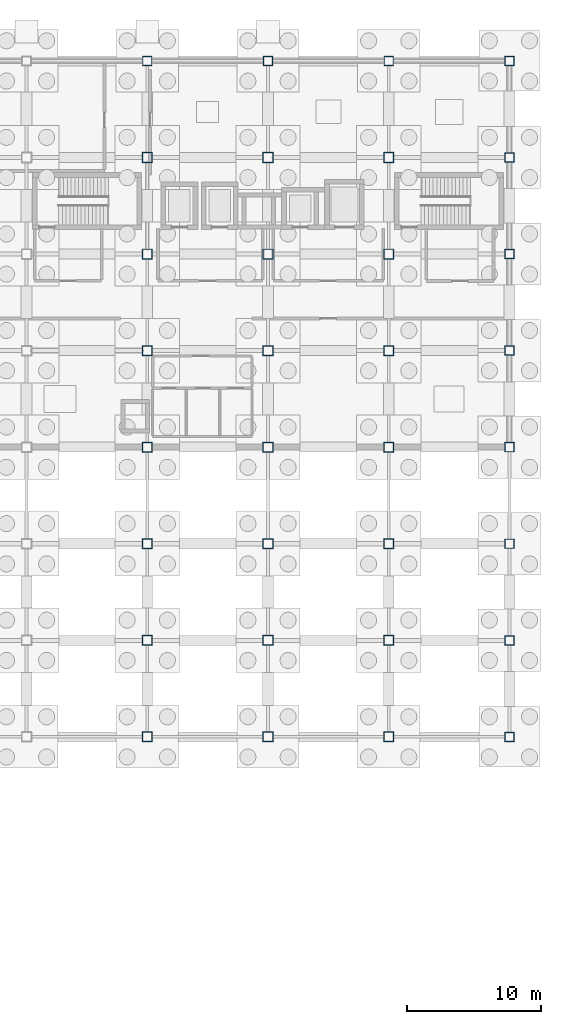
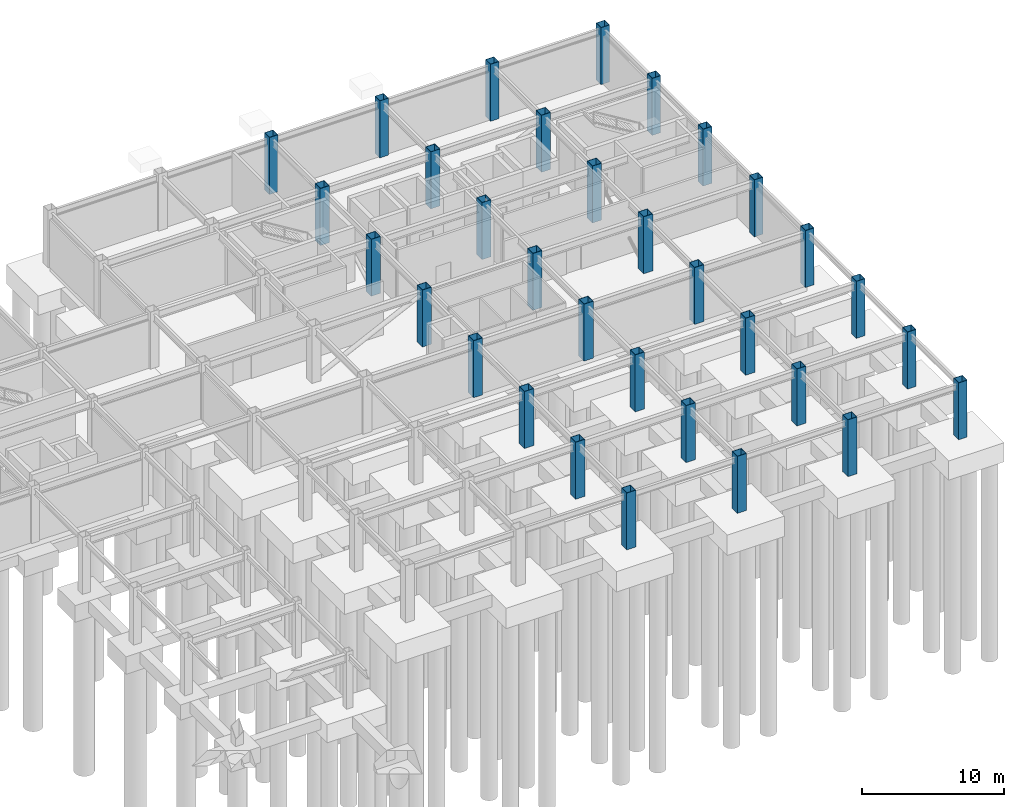
# One storey, part 16 of 28: 32 columns.
"""IFC4 building model written with IfcOpenShell, lengths in metres."""

from ifc_helpers import new_model, si_unit, direction, frame, origin, origin_2d, place, context, subcontext, project, spatial, hollow_rectangle, extrude, material, material_profile, profile_set, type_object, element, save


model = new_model("IFC4")

# Units and contexts
model_context = context("Model", 3, precision=1e-05, world=origin(), true_north=direction((0.0, 1.0)))
body_context = subcontext(model_context, "Body", "Model", "MODEL_VIEW")
ifc_project = project(units=[si_unit("LENGTHUNIT", "METRE"), si_unit("AREAUNIT", "SQUARE_METRE"), si_unit("VOLUMEUNIT", "CUBIC_METRE"), si_unit("PLANEANGLEUNIT", "RADIAN"), si_unit("MASSUNIT", "GRAM", prefix="KILO")], contexts=[model_context])

# Site, building, storey
site_placement = place(None, origin())
site = spatial("IfcSite", under=ifc_project, at=site_placement, CompositionType="ELEMENT")
building_placement = place(site_placement, origin())
building = spatial("IfcBuilding", under=site, at=building_placement, Name="Kazanami Central Library", CompositionType="ELEMENT")
storey_placement = place(building_placement, frame((0.0, 0.0, -4.89990234375)))
storey = spatial("IfcBuildingStorey", under=building, at=storey_placement, Name="B01", CompositionType="ELEMENT", Elevation=-4.89990234375)

# Columns
ifc_material = material(Name="Steel BCP325 (325 MPa)", Category="steel")
ifc_material_profile_1 = material_profile(ifc_material, hollow_rectangle(XDim=0.75, YDim=0.75, WallThickness=0.031982421875, at=origin_2d()), Name="BCP-750x750x32")
ifc_profile_set_1 = profile_set([ifc_material_profile_1], Name="Steel BCP325 (325 MPa)")
column_type_1 = type_object("IfcColumnType", Name="COL-C-T1I", PredefinedType="COLUMN", material=ifc_profile_set_1)
for number, where, z_axis, x_axis, name in (
    (1, (135.0, 43.199951171875, 0.0), (0.0, 0.0, 1.0), (1.0, 0.0, 0.0), "Column C-T1I B01 16/G"),
    (2, (135.0, 50.39990234375, 0.0), (0.0, 0.0, 1.0), (1.0, 0.0, 0.0), "Column C-T1I B01 16/H"),
    (3, (135.0, 57.60009765625, 0.0), (0.0, 0.0, 1.0), (1.0, 0.0, 0.0), "Column C-T1I B01 16/J"),
    (4, (135.0, 64.800048828125, 0.0), (0.0, 0.0, 1.0), (1.0, 0.0, 0.0), "Column C-T1I B01 16/K"),
    (5, (135.0, 72.0, 0.0), (0.0, 0.0, 1.0), (1.0, 0.0, 0.0), "Column C-T1I B01 16/L"),
    (6, (135.0, 79.199951171875, 0.0), (0.0, 0.0, 1.0), (1.0, 0.0, 0.0), "Column C-T1I B01 16/M"),
    (7, (135.0, 86.39990234375, 0.0), (0.0, 0.0, 1.0), (1.0, 0.0, 0.0), "Column C-T1I B01 16/N"),
    (8, (144.0, 43.199951171875, 0.0), (0.0, 0.0, 1.0), (1.0, 0.0, 0.0), "Column C-T1I B01 17/G"),
    (9, (144.0, 50.39990234375, 0.0), (0.0, 0.0, 1.0), (1.0, 0.0, 0.0), "Column C-T1I B01 17/H"),
    (10, (144.0, 57.60009765625, 0.0), (0.0, 0.0, 1.0), (1.0, 0.0, 0.0), "Column C-T1I B01 17/J"),
    (11, (144.0, 64.800048828125, 0.0), (0.0, 0.0, 1.0), (1.0, 0.0, 0.0), "Column C-T1I B01 17/K"),
    (12, (144.0, 72.0, 0.0), (0.0, 0.0, 1.0), (1.0, 0.0, 0.0), "Column C-T1I B01 17/L"),
    (13, (144.0, 79.199951171875, 0.0), (0.0, 0.0, 1.0), (1.0, 0.0, 0.0), "Column C-T1I B01 17/M"),
    (14, (144.0, 86.39990234375, 0.0), (0.0, 0.0, 1.0), (1.0, 0.0, 0.0), "Column C-T1I B01 17/N"),
    (15, (153.0, 43.199951171875, 0.0), (0.0, 0.0, 1.0), (1.0, 0.0, 0.0), "Column C-T1I B01 18/G"),
    (16, (153.0, 50.39990234375, 0.0), (0.0, 0.0, 1.0), (1.0, 0.0, 0.0), "Column C-T1I B01 18/H"),
    (17, (153.0, 57.60009765625, 0.0), (0.0, 0.0, 1.0), (1.0, 0.0, 0.0), "Column C-T1I B01 18/J"),
    (18, (153.0, 64.800048828125, 0.0), (0.0, 0.0, 1.0), (1.0, 0.0, 0.0), "Column C-T1I B01 18/K"),
    (19, (153.0, 72.0, 0.0), (0.0, 0.0, 1.0), (1.0, 0.0, 0.0), "Column C-T1I B01 18/L"),
    (20, (153.0, 79.199951171875, 0.0), (0.0, 0.0, 1.0), (1.0, 0.0, 0.0), "Column C-T1I B01 18/M"),
    (21, (153.0, 86.39990234375, 0.0), (0.0, 0.0, 1.0), (1.0, 0.0, 0.0), "Column C-T1I B01 18/N"),
):
    element("IfcColumn", number, at=place(storey_placement, frame(where, z_axis=z_axis, x_axis=x_axis)), inside=storey, type_object=column_type_1, Name=name, PredefinedType="COLUMN", context=body_context, shape_type="SweptSolid", body=[
        extrude(hollow_rectangle(XDim=0.75, YDim=0.75, WallThickness=0.031982421875, at=origin_2d()), origin(), (0.0, 0.0, 1.0), 4.89990234375),
    ])
ifc_material_profile_2 = material_profile(ifc_material, hollow_rectangle(XDim=0.699951171875, YDim=0.699951171875, WallThickness=0.028076171875, at=origin_2d()), Name="BCP-700x700x28")
ifc_profile_set_2 = profile_set([ifc_material_profile_2], Name="Steel BCP325 (325 MPa)")
column_type_2 = type_object("IfcColumnType", Name="COL-C-T1P", PredefinedType="COLUMN", material=ifc_profile_set_2)
for number, where, z_axis, x_axis, name in (
    (22, (135.0, 93.60009765625, 0.0), (0.0, 0.0, 1.0), (1.0, 0.0, 0.0), "Column C-T1P B01 16/O"),
    (23, (144.0, 93.60009765625, 0.0), (0.0, 0.0, 1.0), (1.0, 0.0, 0.0), "Column C-T1P B01 17/O"),
    (24, (153.0, 93.60009765625, 0.0), (0.0, 0.0, 1.0), (1.0, 0.0, 0.0), "Column C-T1P B01 18/O"),
    (25, (162.0, 43.199951171875, 0.0), (0.0, 0.0, 1.0), (1.0, 0.0, 0.0), "Column C-T1P B01 19/G"),
    (26, (162.0, 50.39990234375, 0.0), (0.0, 0.0, 1.0), (1.0, 0.0, 0.0), "Column C-T1P B01 19/H"),
    (27, (162.0, 57.60009765625, 0.0), (0.0, 0.0, 1.0), (1.0, 0.0, 0.0), "Column C-T1P B01 19/J"),
    (28, (162.0, 64.800048828125, 0.0), (0.0, 0.0, 1.0), (1.0, 0.0, 0.0), "Column C-T1P B01 19/K"),
    (29, (162.0, 72.0, 0.0), (0.0, 0.0, 1.0), (1.0, 0.0, 0.0), "Column C-T1P B01 19/L"),
    (30, (162.0, 79.199951171875, 0.0), (0.0, 0.0, 1.0), (1.0, 0.0, 0.0), "Column C-T1P B01 19/M"),
    (31, (162.0, 86.39990234375, 0.0), (0.0, 0.0, 1.0), (1.0, 0.0, 0.0), "Column C-T1P B01 19/N"),
    (32, (162.0, 93.60009765625, 0.0), (0.0, 0.0, 1.0), (1.0, 0.0, 0.0), "Column C-T1P B01 19/O"),
):
    element("IfcColumn", number, at=place(storey_placement, frame(where, z_axis=z_axis, x_axis=x_axis)), inside=storey, type_object=column_type_2, Name=name, PredefinedType="COLUMN", context=body_context, shape_type="SweptSolid", body=[
        extrude(hollow_rectangle(XDim=0.699951171875, YDim=0.699951171875, WallThickness=0.028076171875, at=origin_2d()), origin(), (0.0, 0.0, 1.0), 4.89990234375),
    ])

save(model, "model.ifc")
